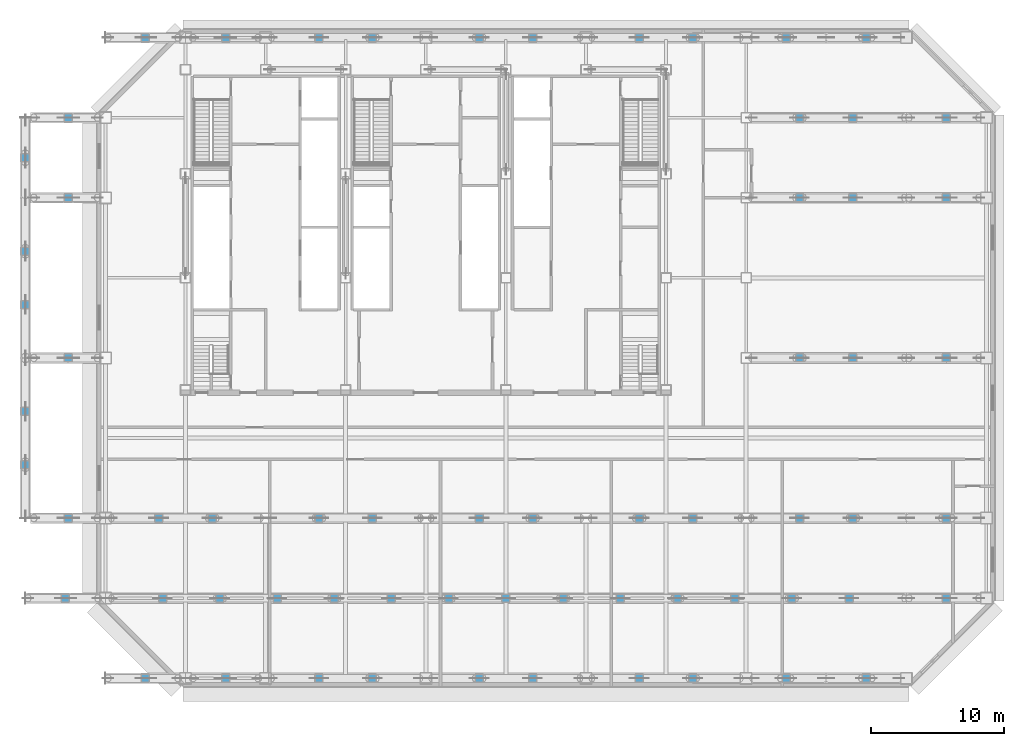
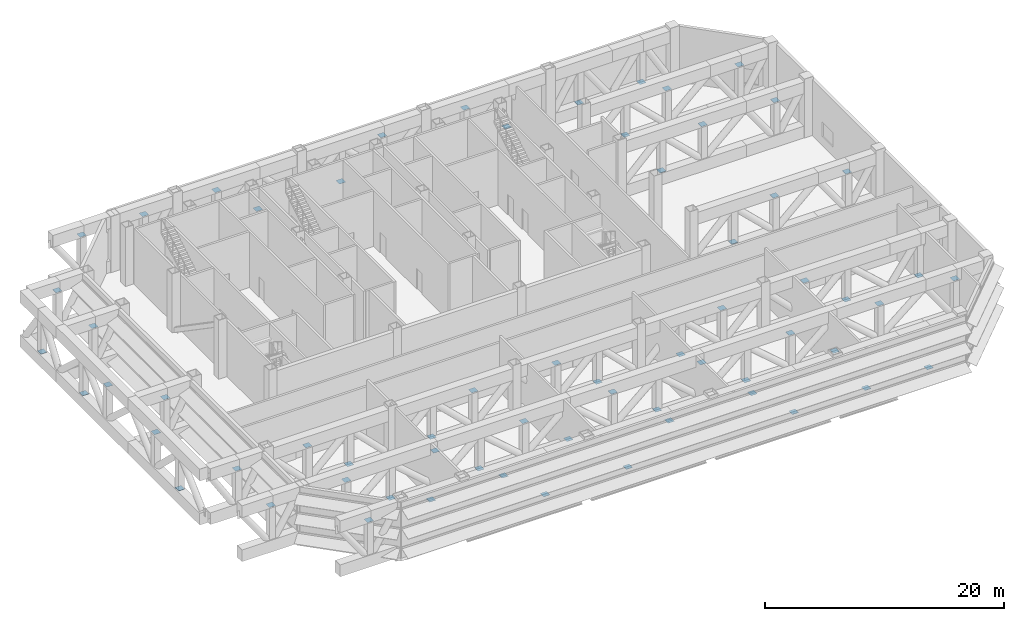
# One storey, part 15 of 17: 64 discrete accessories.
"""IFC4 building model written with IfcOpenShell, lengths in metres."""

from ifc_helpers import new_model, si_unit, direction, frame, origin, origin_2d, place, context, subcontext, project, spatial, rectangle, extrude, material, layer, layer_set, type_object, element, save


model = new_model("IFC4")

# Units and contexts
model_context = context("Model", 3, precision=1e-05, world=origin(), true_north=direction((0.0, 1.0)))
body_context = subcontext(model_context, "Body", "Model", "MODEL_VIEW")
ifc_project = project(units=[si_unit("LENGTHUNIT", "METRE"), si_unit("AREAUNIT", "SQUARE_METRE"), si_unit("VOLUMEUNIT", "CUBIC_METRE"), si_unit("PLANEANGLEUNIT", "RADIAN"), si_unit("MASSUNIT", "GRAM", prefix="KILO")], contexts=[model_context])

# Site, building, storey
site_placement = place(None, origin())
site = spatial("IfcSite", under=ifc_project, at=site_placement, CompositionType="ELEMENT")
building_placement = place(site_placement, origin())
building = spatial("IfcBuilding", under=site, at=building_placement, Name="Sorahane Residences", CompositionType="ELEMENT")
storey_placement = place(building_placement, frame((0.0, 0.0, 90.199951171875)))
storey = spatial("IfcBuildingStorey", under=building, at=storey_placement, Name="L19", CompositionType="ELEMENT", Elevation=90.199951171875)

# Discrete accessories
ifc_material = material(Name="Steel Q420GJ", Category="steel")
ifc_layer = layer(ifc_material, 0.02001953125)
ifc_layer_set = layer_set([ifc_layer], Name="End plate Steel Q420GJ 600x600x20")
discrete_accessory_type = type_object("IfcDiscreteAccessoryType", Name="End plate Steel Q420GJ 600x600x20", PredefinedType="USERDEFINED", material=ifc_layer_set)
for number, where, z_axis, x_axis, name in (
    (1, (3.0, 0.0, 4.5), (0.0, 0.0, 1.0), (1.0, 0.0, 0.0), "End plate L19"),
    (2, (40.0, 0.0, 4.5), (0.0, 0.0, 1.0), (1.0, 0.0, 0.0), "End plate L19"),
    (3, (44.0, 0.0, 1.179931640625), (0.0, 0.0, 1.0), (1.0, 0.0, 0.0), "End plate L19"),
    (4, (51.0, 0.0, 1.179931640625), (0.0, 0.0, 1.0), (1.0, 0.0, 0.0), "End plate L19"),
    (5, (57.0, 0.0, 1.179931640625), (0.0, 0.0, 1.0), (1.0, 0.0, 0.0), "End plate L19"),
    (6, (9.0, 0.0, 4.5), (0.0, 0.0, 1.0), (1.0, 0.0, 0.0), "End plate L19"),
    (7, (16.0, 0.0, 4.5), (0.0, 0.0, 1.0), (1.0, 0.0, 0.0), "End plate L19"),
    (8, (20.0, 0.0, 1.179931640625), (0.0, 0.0, 1.0), (1.0, 0.0, 0.0), "End plate L19"),
    (9, (28.0, 0.0, 1.179931640625), (0.0, 0.0, 1.0), (1.0, 0.0, 0.0), "End plate L19"),
    (10, (32.0, 0.0, 4.5), (0.0, 0.0, 1.0), (1.0, 0.0, 0.0), "End plate L19"),
    (11, (-2.800048828125, 12.0, 4.5), (0.0, 0.0, 1.0), (1.0, 0.0, 0.0), "End plate L19"),
    (12, (32.0, 12.0, 1.179931640625), (0.0, 0.0, 1.0), (1.0, 0.0, 0.0), "End plate L19"),
    (13, (40.0, 12.0, 1.179931640625), (0.0, 0.0, 1.0), (1.0, 0.0, 0.0), "End plate L19"),
    (14, (44.0, 12.0, 4.5), (0.0, 0.0, 1.0), (1.0, 0.0, 0.0), "End plate L19"),
    (15, (52.0, 12.0, 4.5), (0.0, 0.0, 1.0), (1.0, 0.0, 0.0), "End plate L19"),
    (16, (56.0, 12.0, 1.179931640625), (0.0, 0.0, 1.0), (1.0, 0.0, 0.0), "End plate L19"),
    (17, (63.0, 12.0, 1.179931640625), (0.0, 0.0, 1.0), (1.0, 0.0, 0.0), "End plate L19"),
    (18, (4.0, 12.0, 4.5), (0.0, 0.0, 1.0), (1.0, 0.0, 0.0), "End plate L19"),
    (19, (8.0, 12.0, 1.179931640625), (0.0, 0.0, 1.0), (1.0, 0.0, 0.0), "End plate L19"),
    (20, (16.0, 12.0, 1.179931640625), (0.0, 0.0, 1.0), (1.0, 0.0, 0.0), "End plate L19"),
    (21, (20.0, 12.0, 4.5), (0.0, 0.0, 1.0), (1.0, 0.0, 0.0), "End plate L19"),
    (22, (28.0, 12.0, 4.5), (0.0, 0.0, 1.0), (1.0, 0.0, 0.0), "End plate L19"),
    (23, (-2.800048828125, 24.0, 4.5), (0.0, 0.0, 1.0), (1.0, 0.0, 0.0), "End plate L19"),
    (24, (52.0, 24.0, 1.179931640625), (0.0, 0.0, 1.0), (1.0, 0.0, 0.0), "End plate L19"),
    (25, (56.0, 24.0, 4.5), (0.0, 0.0, 1.0), (1.0, 0.0, 0.0), "End plate L19"),
    (26, (63.0, 24.0, 4.5), (0.0, 0.0, 1.0), (1.0, 0.0, 0.0), "End plate L19"),
    (27, (-2.800048828125, 36.0, 4.5), (0.0, 0.0, 1.0), (1.0, 0.0, 0.0), "End plate L19"),
    (28, (52.0, 36.0, 1.179931640625), (0.0, 0.0, 1.0), (1.0, 0.0, 0.0), "End plate L19"),
    (29, (56.0, 36.0, 4.5), (0.0, 0.0, 1.0), (1.0, 0.0, 0.0), "End plate L19"),
    (30, (63.0, 36.0, 4.5), (0.0, 0.0, 1.0), (1.0, 0.0, 0.0), "End plate L19"),
    (31, (-2.800048828125, 42.0, 4.5), (0.0, 0.0, 1.0), (1.0, 0.0, 0.0), "End plate L19"),
    (32, (52.0, 42.0, 1.179931640625), (0.0, 0.0, 1.0), (1.0, 0.0, 0.0), "End plate L19"),
    (33, (56.0, 42.0, 4.5), (0.0, 0.0, 1.0), (1.0, 0.0, 0.0), "End plate L19"),
    (34, (63.0, 42.0, 4.5), (0.0, 0.0, 1.0), (1.0, 0.0, 0.0), "End plate L19"),
    (35, (3.0, 48.0, 4.5), (0.0, 0.0, 1.0), (1.0, 0.0, 0.0), "End plate L19"),
    (36, (40.0, 48.0, 4.5), (0.0, 0.0, 1.0), (1.0, 0.0, 0.0), "End plate L19"),
    (37, (44.0, 48.0, 1.179931640625), (0.0, 0.0, 1.0), (1.0, 0.0, 0.0), "End plate L19"),
    (38, (51.0, 48.0, 1.179931640625), (0.0, 0.0, 1.0), (1.0, 0.0, 0.0), "End plate L19"),
    (39, (57.0, 48.0, 1.179931640625), (0.0, 0.0, 1.0), (1.0, 0.0, 0.0), "End plate L19"),
    (40, (9.0, 48.0, 4.5), (0.0, 0.0, 1.0), (1.0, 0.0, 0.0), "End plate L19"),
    (41, (16.0, 48.0, 4.5), (0.0, 0.0, 1.0), (1.0, 0.0, 0.0), "End plate L19"),
    (42, (20.0, 48.0, 1.179931640625), (0.0, 0.0, 1.0), (1.0, 0.0, 0.0), "End plate L19"),
    (43, (28.0, 48.0, 1.179931640625), (0.0, 0.0, 1.0), (1.0, 0.0, 0.0), "End plate L19"),
    (44, (32.0, 48.0, 4.5), (0.0, 0.0, 1.0), (1.0, 0.0, 0.0), "End plate L19"),
    (45, (-3.0, 6.0, 4.5), (0.0, 0.0, 1.0), (1.0, 0.0, 0.0), "End plate L19"),
    (46, (34.28564453125, 6.0, 1.179931640625), (0.0, 0.0, 1.0), (1.0, 0.0, 0.0), "End plate L19"),
    (47, (38.5712890625, 6.0, 4.5), (0.0, 0.0, 1.0), (1.0, 0.0, 0.0), "End plate L19"),
    (48, (42.857177734375, 6.0, 1.179931640625), (0.0, 0.0, 1.0), (1.0, 0.0, 0.0), "End plate L19"),
    (49, (47.142822265625, 6.0, 4.5), (0.0, 0.0, 1.0), (1.0, 0.0, 0.0), "End plate L19"),
    (50, (51.4287109375, 6.0, 1.179931640625), (0.0, 0.0, 1.0), (1.0, 0.0, 0.0), "End plate L19"),
    (51, (55.71435546875, 6.0, 4.5), (0.0, 0.0, 1.0), (1.0, 0.0, 0.0), "End plate L19"),
    (52, (63.0, 6.0, 4.5), (0.0, 0.0, 1.0), (1.0, 0.0, 0.0), "End plate L19"),
    (53, (4.28564453125, 6.0, 4.5), (0.0, 0.0, 1.0), (1.0, 0.0, 0.0), "End plate L19"),
    (54, (8.5712890625, 6.0, 1.179931640625), (0.0, 0.0, 1.0), (1.0, 0.0, 0.0), "End plate L19"),
    (55, (12.857177734375, 6.0, 4.5), (0.0, 0.0, 1.0), (1.0, 0.0, 0.0), "End plate L19"),
    (56, (17.142822265625, 6.0, 1.179931640625), (0.0, 0.0, 1.0), (1.0, 0.0, 0.0), "End plate L19"),
    (57, (21.4287109375, 6.0, 4.5), (0.0, 0.0, 1.0), (1.0, 0.0, 0.0), "End plate L19"),
    (58, (25.71435546875, 6.0, 1.179931640625), (0.0, 0.0, 1.0), (1.0, 0.0, 0.0), "End plate L19"),
    (59, (30.0, 6.0, 4.5), (0.0, 0.0, 1.0), (1.0, 0.0, 0.0), "End plate L19"),
    (60, (-6.0, 16.0, 1.179931640625), (0.0, 0.0, 1.0), (1.0, 0.0, 0.0), "End plate L19"),
    (61, (-6.0, 20.0, 4.5), (0.0, 0.0, 1.0), (1.0, 0.0, 0.0), "End plate L19"),
    (62, (-6.0, 28.0, 4.5), (0.0, 0.0, 1.0), (1.0, 0.0, 0.0), "End plate L19"),
    (63, (-6.0, 32.0, 1.179931640625), (0.0, 0.0, 1.0), (1.0, 0.0, 0.0), "End plate L19"),
    (64, (-6.0, 39.0, 1.179931640625), (0.0, 0.0, 1.0), (1.0, 0.0, 0.0), "End plate L19"),
):
    element("IfcDiscreteAccessory", number, at=place(storey_placement, frame(where, z_axis=z_axis, x_axis=x_axis)), inside=storey, type_object=discrete_accessory_type, Name=name, ObjectType="END PLATE", PredefinedType="USERDEFINED", context=body_context, shape_type="SweptSolid", body=[
        extrude(rectangle(XDim=0.60009765625, YDim=0.60009765625, at=origin_2d()), origin(), (0.0, 0.0, 1.0), 0.02001953125),
    ])

save(model, "model.ifc")
